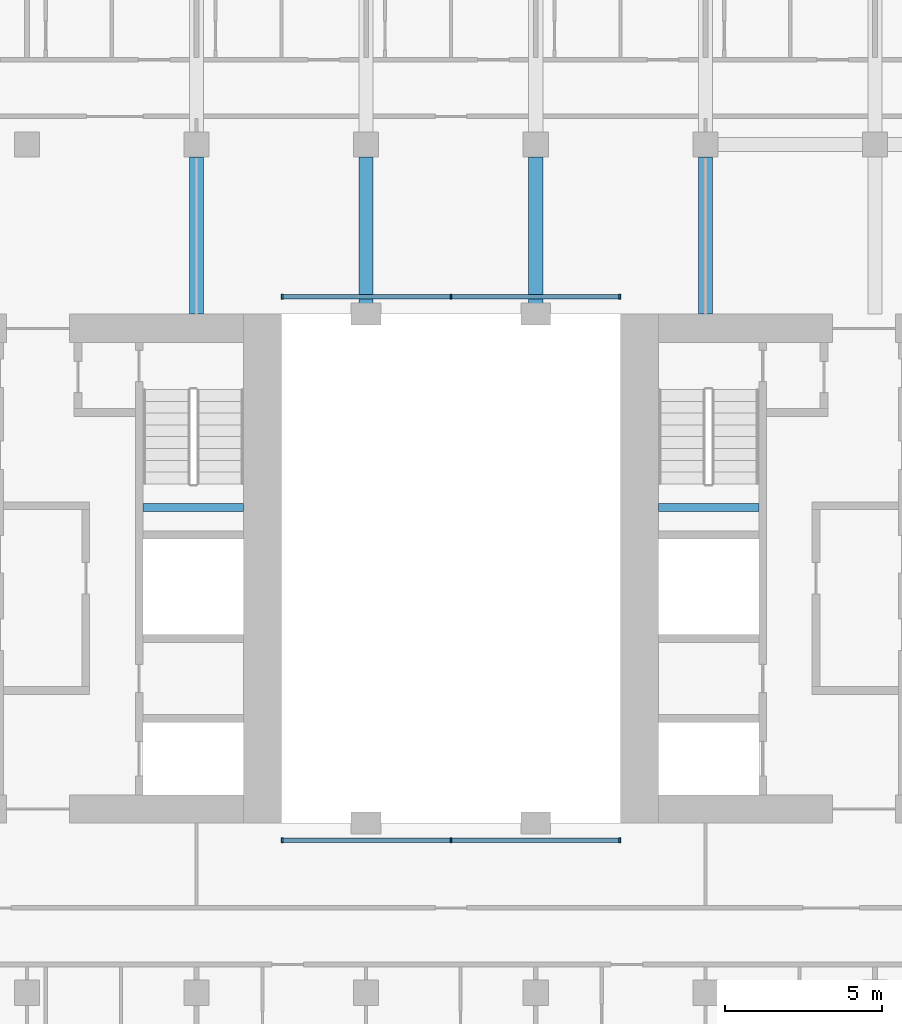
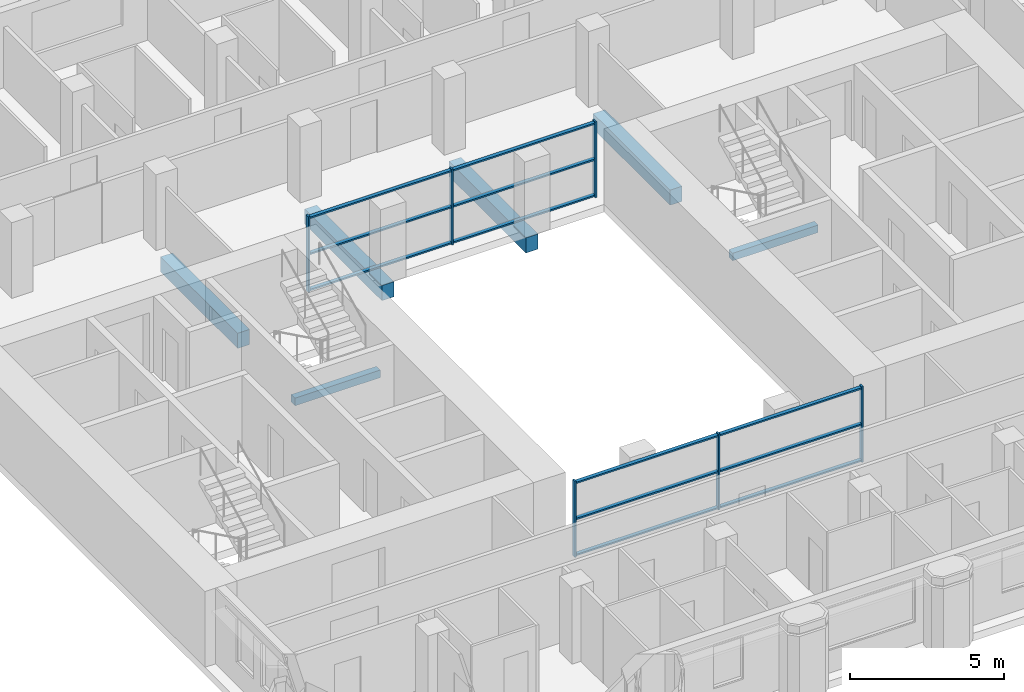
# One storey, part 2 of 12: 18 members, 6 beams, 2 elements without a shape of their own.
"""IFC4 building model written with IfcOpenShell, lengths in metres."""

from ifc_helpers import new_model, si_unit, direction, frame, origin, origin_2d, place, context, subcontext, project, spatial, rectangle, extrude, material, material_profile, profile_set, type_object, element, aggregate, save


model = new_model("IFC4")

# Units and contexts
model_context = context("Model", 3, precision=1e-05, world=origin(), true_north=direction((0.0, 1.0)))
body_context = subcontext(model_context, "Body", "Model", "MODEL_VIEW")
ifc_project = project(units=[si_unit("LENGTHUNIT", "METRE"), si_unit("AREAUNIT", "SQUARE_METRE"), si_unit("VOLUMEUNIT", "CUBIC_METRE"), si_unit("PLANEANGLEUNIT", "RADIAN"), si_unit("MASSUNIT", "GRAM", prefix="KILO")], contexts=[model_context])

# Site, building, storey
site_placement = place(None, origin())
site = spatial("IfcSite", under=ifc_project, at=site_placement, CompositionType="ELEMENT")
building_placement = place(site_placement, origin())
building = spatial("IfcBuilding", under=site, at=building_placement, Name="Tabaq Tower and Sports Hall", CompositionType="ELEMENT")
storey_placement = place(building_placement, frame((0.0, 0.0, 187.300048828125)))
storey = spatial("IfcBuildingStorey", under=building, at=storey_placement, Name="L45", CompositionType="ELEMENT", Elevation=187.300048828125)

# Curtain wall, members
ifc_material_1 = material(Name="Aluminium alloy 6063-T6 framed glazing", Category="aluminium")
curtain_wall_type = type_object("IfcCurtainWallType", Name="CW1 curtain wall", PredefinedType="USERDEFINED", material=ifc_material_1)
curtain_wall_1_placement = place(storey_placement, origin())
curtain_wall_1 = element("IfcCurtainWall", 1, at=curtain_wall_1_placement, inside=storey, type_object=curtain_wall_type, Name="Atrium glazing L45 S", ObjectType="ATRIUM ENCLOSURE", PredefinedType="USERDEFINED")
ifc_material_2 = material(Name="Aluminium alloy 6063-T6", Category="aluminium")
ifc_material_profile_1 = material_profile(ifc_material_2, rectangle(XDim=0.159912109375, YDim=0.06005859375, at=origin_2d()), Name="MULLION 160x60")
ifc_profile_set_1 = profile_set([ifc_material_profile_1], Name="Aluminium alloy 6063-T6")
member_type_1 = type_object("IfcMemberType", Name="CW1 mullion 160x60", PredefinedType="MULLION", material=ifc_profile_set_1)
member_1_placement = place(storey_placement, frame((18.929931640625, 15.64990234375, 0.0), z_axis=(0.0, 0.0, 1.0), x_axis=(0.0, 1.0, 0.0)))
member_1 = element("IfcMember", 2, at=member_1_placement, type_object=member_type_1, Name="CW1 mullion 1", PredefinedType="MULLION", context=body_context, shape_type="SweptSolid", body=[
    extrude(rectangle(XDim=0.159912109375, YDim=0.06005859375, at=origin_2d()), origin(), (0.0, 0.0, 1.0), 3.0),
])
member_2_placement = place(storey_placement, frame((24.300048828125, 15.64990234375, 0.0), z_axis=(0.0, 0.0, 1.0), x_axis=(0.0, 1.0, 0.0)))
member_2 = element("IfcMember", 3, at=member_2_placement, type_object=member_type_1, Name="CW1 mullion 2", PredefinedType="MULLION", context=body_context, shape_type="SweptSolid", body=[
    extrude(rectangle(XDim=0.159912109375, YDim=0.06005859375, at=origin_2d()), origin(), (0.0, 0.0, 1.0), 3.0),
])
member_3_placement = place(storey_placement, frame((29.669921875, 15.64990234375, 0.0), z_axis=(0.0, 0.0, 1.0), x_axis=(0.0, 1.0, 0.0)))
member_3 = element("IfcMember", 4, at=member_3_placement, type_object=member_type_1, Name="CW1 mullion 3", PredefinedType="MULLION", context=body_context, shape_type="SweptSolid", body=[
    extrude(rectangle(XDim=0.159912109375, YDim=0.06005859375, at=origin_2d()), origin(), (0.0, 0.0, 1.0), 3.0),
])

curtain_wall_2_placement = place(storey_placement, origin())
curtain_wall_2 = element("IfcCurtainWall", 5, at=curtain_wall_2_placement, inside=storey, type_object=curtain_wall_type, Name="Atrium glazing L45 N", ObjectType="ATRIUM ENCLOSURE", PredefinedType="USERDEFINED")
member_4_placement = place(storey_placement, frame((18.929931640625, 32.949951171875, 0.0), z_axis=(0.0, 0.0, 1.0), x_axis=(0.0, 1.0, 0.0)))
member_4 = element("IfcMember", 6, at=member_4_placement, type_object=member_type_1, Name="CW1 mullion 1", PredefinedType="MULLION", context=body_context, shape_type="SweptSolid", body=[
    extrude(rectangle(XDim=0.159912109375, YDim=0.06005859375, at=origin_2d()), origin(), (0.0, 0.0, 1.0), 3.0),
])
member_5_placement = place(storey_placement, frame((24.300048828125, 32.949951171875, 0.0), z_axis=(0.0, 0.0, 1.0), x_axis=(0.0, 1.0, 0.0)))
member_5 = element("IfcMember", 7, at=member_5_placement, type_object=member_type_1, Name="CW1 mullion 2", PredefinedType="MULLION", context=body_context, shape_type="SweptSolid", body=[
    extrude(rectangle(XDim=0.159912109375, YDim=0.06005859375, at=origin_2d()), origin(), (0.0, 0.0, 1.0), 3.0),
])
member_6_placement = place(storey_placement, frame((29.669921875, 32.949951171875, 0.0), z_axis=(0.0, 0.0, 1.0), x_axis=(0.0, 1.0, 0.0)))
member_6 = element("IfcMember", 8, at=member_6_placement, type_object=member_type_1, Name="CW1 mullion 3", PredefinedType="MULLION", context=body_context, shape_type="SweptSolid", body=[
    extrude(rectangle(XDim=0.159912109375, YDim=0.06005859375, at=origin_2d()), origin(), (0.0, 0.0, 1.0), 3.0),
])

# Member
ifc_material_3 = material(Name="Aluminium alloy 6063-T6", Category="aluminium")
ifc_material_profile_2 = material_profile(ifc_material_3, rectangle(XDim=0.139892578125, YDim=0.06005859375, at=origin_2d()), Name="TRANSOM 140x60")
ifc_profile_set_2 = profile_set([ifc_material_profile_2], Name="Aluminium alloy 6063-T6")
member_type_2 = type_object("IfcMemberType", Name="CW1 transom 140x60", PredefinedType="USERDEFINED", material=ifc_profile_set_2)
member_7_placement = place(storey_placement, frame((18.9599609375, 15.64990234375, 0.070068359375), z_axis=(1.0, 0.0, 0.0), x_axis=(0.0, 1.0, 0.0)))
member_7 = element("IfcMember", 9, at=member_7_placement, type_object=member_type_2, Name="CW1 transom 1.1", ObjectType="TRANSOM", PredefinedType="USERDEFINED", context=body_context, shape_type="SweptSolid", body=[
    extrude(rectangle(XDim=0.139892578125, YDim=0.06005859375, at=origin_2d()), origin(), (0.0, 0.0, 1.0), 5.31005859375),
])

member_8_placement = place(storey_placement, frame((18.9599609375, 15.64990234375, 1.5), z_axis=(1.0, 0.0, 0.0), x_axis=(0.0, 1.0, 0.0)))
member_8 = element("IfcMember", 10, at=member_8_placement, type_object=member_type_2, Name="CW1 transom 1.2", ObjectType="TRANSOM", PredefinedType="USERDEFINED", context=body_context, shape_type="SweptSolid", body=[
    extrude(rectangle(XDim=0.139892578125, YDim=0.06005859375, at=origin_2d()), origin(), (0.0, 0.0, 1.0), 5.31005859375),
])

member_9_placement = place(storey_placement, frame((18.9599609375, 15.64990234375, 2.929931640625), z_axis=(1.0, 0.0, 0.0), x_axis=(0.0, 1.0, 0.0)))
member_9 = element("IfcMember", 11, at=member_9_placement, type_object=member_type_2, Name="CW1 transom 1.3", ObjectType="TRANSOM", PredefinedType="USERDEFINED", context=body_context, shape_type="SweptSolid", body=[
    extrude(rectangle(XDim=0.139892578125, YDim=0.06005859375, at=origin_2d()), origin(), (0.0, 0.0, 1.0), 5.31005859375),
])

member_10_placement = place(storey_placement, frame((24.330078125, 15.64990234375, 0.070068359375), z_axis=(1.0, 0.0, 0.0), x_axis=(0.0, 1.0, 0.0)))
member_10 = element("IfcMember", 12, at=member_10_placement, type_object=member_type_2, Name="CW1 transom 2.1", ObjectType="TRANSOM", PredefinedType="USERDEFINED", context=body_context, shape_type="SweptSolid", body=[
    extrude(rectangle(XDim=0.139892578125, YDim=0.06005859375, at=origin_2d()), origin(), (0.0, 0.0, 1.0), 5.309814453125),
])

member_11_placement = place(storey_placement, frame((24.330078125, 15.64990234375, 1.5), z_axis=(1.0, 0.0, 0.0), x_axis=(0.0, 1.0, 0.0)))
member_11 = element("IfcMember", 13, at=member_11_placement, type_object=member_type_2, Name="CW1 transom 2.2", ObjectType="TRANSOM", PredefinedType="USERDEFINED", context=body_context, shape_type="SweptSolid", body=[
    extrude(rectangle(XDim=0.139892578125, YDim=0.06005859375, at=origin_2d()), origin(), (0.0, 0.0, 1.0), 5.309814453125),
])

member_12_placement = place(storey_placement, frame((24.330078125, 15.64990234375, 2.929931640625), z_axis=(1.0, 0.0, 0.0), x_axis=(0.0, 1.0, 0.0)))
member_12 = element("IfcMember", 14, at=member_12_placement, type_object=member_type_2, Name="CW1 transom 2.3", ObjectType="TRANSOM", PredefinedType="USERDEFINED", context=body_context, shape_type="SweptSolid", body=[
    extrude(rectangle(XDim=0.139892578125, YDim=0.06005859375, at=origin_2d()), origin(), (0.0, 0.0, 1.0), 5.309814453125),
])

aggregate(curtain_wall_1, [member_1, member_2, member_3, member_7, member_8, member_9, member_10, member_11, member_12])

member_13_placement = place(storey_placement, frame((18.9599609375, 32.949951171875, 0.070068359375), z_axis=(1.0, 0.0, 0.0), x_axis=(0.0, 1.0, 0.0)))
member_13 = element("IfcMember", 15, at=member_13_placement, type_object=member_type_2, Name="CW1 transom 1.1", ObjectType="TRANSOM", PredefinedType="USERDEFINED", context=body_context, shape_type="SweptSolid", body=[
    extrude(rectangle(XDim=0.139892578125, YDim=0.06005859375, at=origin_2d()), origin(), (0.0, 0.0, 1.0), 5.31005859375),
])

member_14_placement = place(storey_placement, frame((18.9599609375, 32.949951171875, 1.5), z_axis=(1.0, 0.0, 0.0), x_axis=(0.0, 1.0, 0.0)))
member_14 = element("IfcMember", 16, at=member_14_placement, type_object=member_type_2, Name="CW1 transom 1.2", ObjectType="TRANSOM", PredefinedType="USERDEFINED", context=body_context, shape_type="SweptSolid", body=[
    extrude(rectangle(XDim=0.139892578125, YDim=0.06005859375, at=origin_2d()), origin(), (0.0, 0.0, 1.0), 5.31005859375),
])

member_15_placement = place(storey_placement, frame((18.9599609375, 32.949951171875, 2.929931640625), z_axis=(1.0, 0.0, 0.0), x_axis=(0.0, 1.0, 0.0)))
member_15 = element("IfcMember", 17, at=member_15_placement, type_object=member_type_2, Name="CW1 transom 1.3", ObjectType="TRANSOM", PredefinedType="USERDEFINED", context=body_context, shape_type="SweptSolid", body=[
    extrude(rectangle(XDim=0.139892578125, YDim=0.06005859375, at=origin_2d()), origin(), (0.0, 0.0, 1.0), 5.31005859375),
])

member_16_placement = place(storey_placement, frame((24.330078125, 32.949951171875, 0.070068359375), z_axis=(1.0, 0.0, 0.0), x_axis=(0.0, 1.0, 0.0)))
member_16 = element("IfcMember", 18, at=member_16_placement, type_object=member_type_2, Name="CW1 transom 2.1", ObjectType="TRANSOM", PredefinedType="USERDEFINED", context=body_context, shape_type="SweptSolid", body=[
    extrude(rectangle(XDim=0.139892578125, YDim=0.06005859375, at=origin_2d()), origin(), (0.0, 0.0, 1.0), 5.309814453125),
])

member_17_placement = place(storey_placement, frame((24.330078125, 32.949951171875, 1.5), z_axis=(1.0, 0.0, 0.0), x_axis=(0.0, 1.0, 0.0)))
member_17 = element("IfcMember", 19, at=member_17_placement, type_object=member_type_2, Name="CW1 transom 2.2", ObjectType="TRANSOM", PredefinedType="USERDEFINED", context=body_context, shape_type="SweptSolid", body=[
    extrude(rectangle(XDim=0.139892578125, YDim=0.06005859375, at=origin_2d()), origin(), (0.0, 0.0, 1.0), 5.309814453125),
])

member_18_placement = place(storey_placement, frame((24.330078125, 32.949951171875, 2.929931640625), z_axis=(1.0, 0.0, 0.0), x_axis=(0.0, 1.0, 0.0)))
member_18 = element("IfcMember", 20, at=member_18_placement, type_object=member_type_2, Name="CW1 transom 2.3", ObjectType="TRANSOM", PredefinedType="USERDEFINED", context=body_context, shape_type="SweptSolid", body=[
    extrude(rectangle(XDim=0.139892578125, YDim=0.06005859375, at=origin_2d()), origin(), (0.0, 0.0, 1.0), 5.309814453125),
])

aggregate(curtain_wall_2, [member_4, member_5, member_6, member_13, member_14, member_15, member_16, member_17, member_18])

# Beams
ifc_material_4 = material(Name="Concrete C40/50", Category="concrete")
ifc_material_profile_3 = material_profile(ifc_material_4, rectangle(XDim=0.449951171875, YDim=0.60009765625, at=origin_2d()), Name="CB 450x600")
ifc_profile_set_3 = profile_set([ifc_material_profile_3], Name="Concrete C40/50")
beam_type_1 = type_object("IfcBeamType", Name="PT CANTILEVER BEAM CB 450x600 C40/50", PredefinedType="BEAM", material=ifc_profile_set_3)
for number, where, z_axis, x_axis, name in (
    (21, (16.199951171875, 37.39990234375, -0.60009765625), (0.0, -1.0, 0.0), (1.0, 0.0, 0.0), "Cantilever Beam L45 N3 span 3"),
    (22, (21.60009765625, 37.39990234375, -0.60009765625), (0.0, -1.0, 0.0), (1.0, 0.0, 0.0), "Cantilever Beam L45 N4 span 3"),
    (23, (27.0, 37.39990234375, -0.60009765625), (0.0, -1.0, 0.0), (1.0, 0.0, 0.0), "Cantilever Beam L45 N5 span 3"),
    (24, (32.39990234375, 37.39990234375, -0.60009765625), (0.0, -1.0, 0.0), (1.0, 0.0, 0.0), "Cantilever Beam L45 N6 span 3"),
):
    element("IfcBeam", number, at=place(storey_placement, frame(where, z_axis=z_axis, x_axis=x_axis)), inside=storey, type_object=beam_type_1, Name=name, PredefinedType="BEAM", context=body_context, shape_type="SweptSolid", body=[
        extrude(rectangle(XDim=0.449951171875, YDim=0.60009765625, at=origin_2d()), origin(), (0.0, 0.0, 1.0), 5.0),
    ])
ifc_material_5 = material(Name="Concrete C40/50", Category="concrete")
ifc_material_profile_4 = material_profile(ifc_material_5, rectangle(XDim=0.25, YDim=0.300048828125, at=origin_2d()), Name="RC 250x300")
ifc_profile_set_4 = profile_set([ifc_material_profile_4], Name="Concrete C40/50")
beam_type_2 = type_object("IfcBeamType", Name="Stair landing beam 250x300", PredefinedType="BEAM", material=ifc_profile_set_4)
beam_1_placement = place(storey_placement, frame((14.5, 26.25, 1.300048828125), z_axis=(1.0, 0.0, 0.0), x_axis=(0.0, 1.0, 0.0)))
element("IfcBeam", 25, at=beam_1_placement, inside=storey, type_object=beam_type_2, Name="L45 ST2 landing beam 1", PredefinedType="BEAM", context=body_context, shape_type="SweptSolid", body=[
    extrude(rectangle(XDim=0.25, YDim=0.300048828125, at=origin_2d()), origin(), (0.0, 0.0, 1.0), 3.199951171875),
])
beam_2_placement = place(storey_placement, frame((30.89990234375, 26.25, 1.300048828125), z_axis=(1.0, 0.0, 0.0), x_axis=(0.0, 1.0, 0.0)))
element("IfcBeam", 26, at=beam_2_placement, inside=storey, type_object=beam_type_2, Name="L45 ST4 landing beam 1", PredefinedType="BEAM", context=body_context, shape_type="SweptSolid", body=[
    extrude(rectangle(XDim=0.25, YDim=0.300048828125, at=origin_2d()), origin(), (0.0, 0.0, 1.0), 3.2001953125),
])

save(model, "model.ifc")
